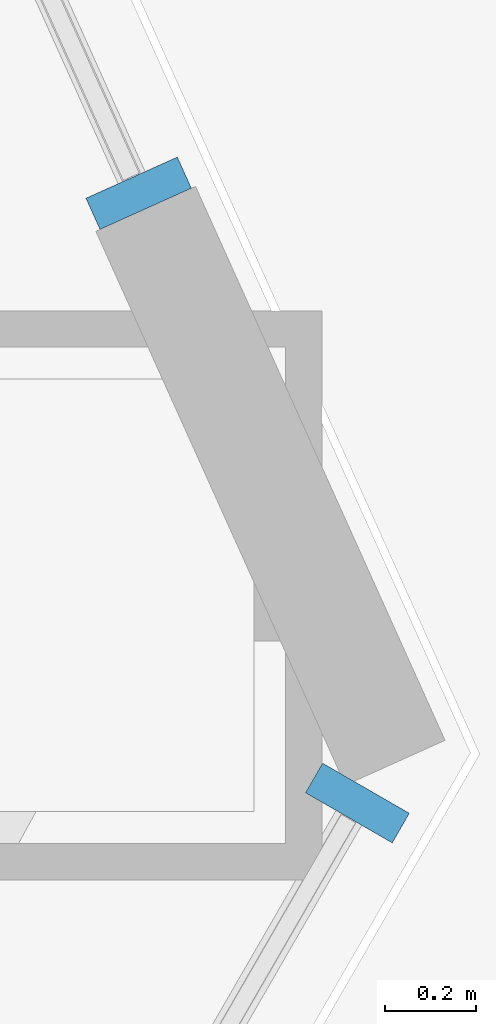
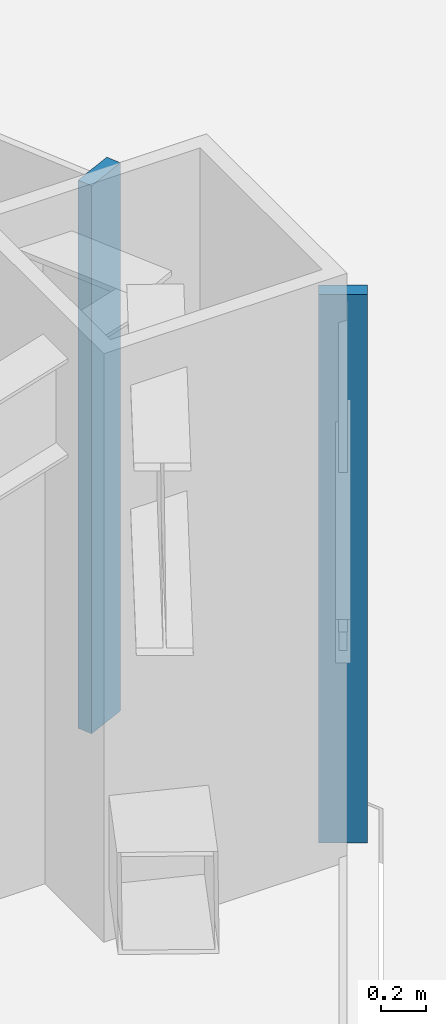
# One storey, part 9 of 17: 2 members, 2 elements without a shape of their own.
"""IFC4 building model written with IfcOpenShell, lengths in metres."""

from ifc_helpers import new_model, si_unit, direction, frame, origin, origin_2d, place, context, subcontext, project, spatial, rectangle, extrude, source, transform, mapped, material, layer, layer_set, material_profile, profile_set, type_object, type_shapes, element, aggregate, save


model = new_model("IFC4")

# Units and contexts
model_context = context("Model", 3, precision=1e-05, world=origin(), true_north=direction((0.0, 1.0)))
body_context = subcontext(model_context, "Body", "Model", "MODEL_VIEW")
ifc_project = project(units=[si_unit("LENGTHUNIT", "METRE"), si_unit("AREAUNIT", "SQUARE_METRE"), si_unit("VOLUMEUNIT", "CUBIC_METRE"), si_unit("PLANEANGLEUNIT", "RADIAN"), si_unit("MASSUNIT", "GRAM", prefix="KILO")], contexts=[model_context])

# Site, building, storey
site_placement = place(None, origin())
site = spatial("IfcSite", under=ifc_project, at=site_placement, CompositionType="ELEMENT")
building_placement = place(site_placement, origin())
building = spatial("IfcBuilding", under=site, at=building_placement, Name="Varakhsha Concourse Tower", CompositionType="ELEMENT")
storey_placement = place(building_placement, frame((0.0, 0.0, 27.199951171875)))
storey = spatial("IfcBuildingStorey", under=building, at=storey_placement, Name="L06", CompositionType="ELEMENT", Elevation=27.199951171875)

# Curtain wall, member
ifc_material = material(Name="Anodised Bronze Architectural Aluminium AA 6063-T6", Category="aluminium")
ifc_layer = layer(ifc_material, 0.219970703125, Name="CW-SYS-02")
ifc_layer_set = layer_set([ifc_layer], Name="Anodised Bronze Architectural Aluminium AA 6063-T6")
curtain_wall_type = type_object("IfcCurtainWallType", Name="CW-SYS-02", PredefinedType="NOTDEFINED", material=ifc_layer_set)
curtain_wall_1_placement = place(storey_placement, origin())
curtain_wall_1 = element("IfcCurtainWall", 1, at=curtain_wall_1_placement, inside=storey, type_object=curtain_wall_type, Name="L06 Chamfer Curtain Wall F7", PredefinedType="NOTDEFINED")
ifc_material_profile = material_profile(ifc_material, rectangle(XDim=0.074951171875, YDim=0.219970703125, at=origin_2d()), Name="CWM-220X75")
ifc_profile_set = profile_set([ifc_material_profile], Name="Anodised Bronze Architectural Aluminium AA 6063-T6")
member_type = type_object("IfcMemberType", Name="CWM-220X75", PredefinedType="MULLION", material=ifc_profile_set)
shared_shape = source(origin(), body_context, "Body", "SweptSolid", [
    extrude(rectangle(XDim=0.074951171875, YDim=0.219970703125, at=origin_2d()), origin(), (0.0, 0.0, 1.0), 2.97998046875),
])
type_shapes(member_type, [shared_shape])
member_1_placement = place(storey_placement, frame((68.399658203125, 13.66943359375, 0.0), z_axis=(0.0, 0.0, 1.0), x_axis=(-0.499996976998, -0.866027149108, 0.0)))
member_1 = element("IfcMember", 2, at=member_1_placement, type_object=member_type, Name="CW-L06-F7 Mullion 00", PredefinedType="MULLION", context=body_context, shape_type="MappedRepresentation", body=[
    mapped(shared_shape, transform((0.0, 0.0, 0.0), scale=1.0)),
])
aggregate(curtain_wall_1, [member_1])

curtain_wall_2_placement = place(storey_placement, origin())
curtain_wall_2 = element("IfcCurtainWall", 3, at=curtain_wall_2_placement, inside=storey, type_object=curtain_wall_type, Name="L06 Crystal Curtain Wall F8", PredefinedType="NOTDEFINED")
member_2_placement = place(storey_placement, frame((67.919189453125, 15.0087890625, 0.0), z_axis=(0.0, 0.0, 1.0), x_axis=(0.410683843161, -0.911777813377, 0.0)))
member_2 = element("IfcMember", 4, at=member_2_placement, type_object=member_type, Name="CW-L06-F8 Mullion 02", PredefinedType="MULLION", context=body_context, shape_type="MappedRepresentation", body=[
    mapped(shared_shape, transform((0.0, 0.0, 0.0), scale=1.0)),
])
aggregate(curtain_wall_2, [member_2])

save(model, "model.ifc")
